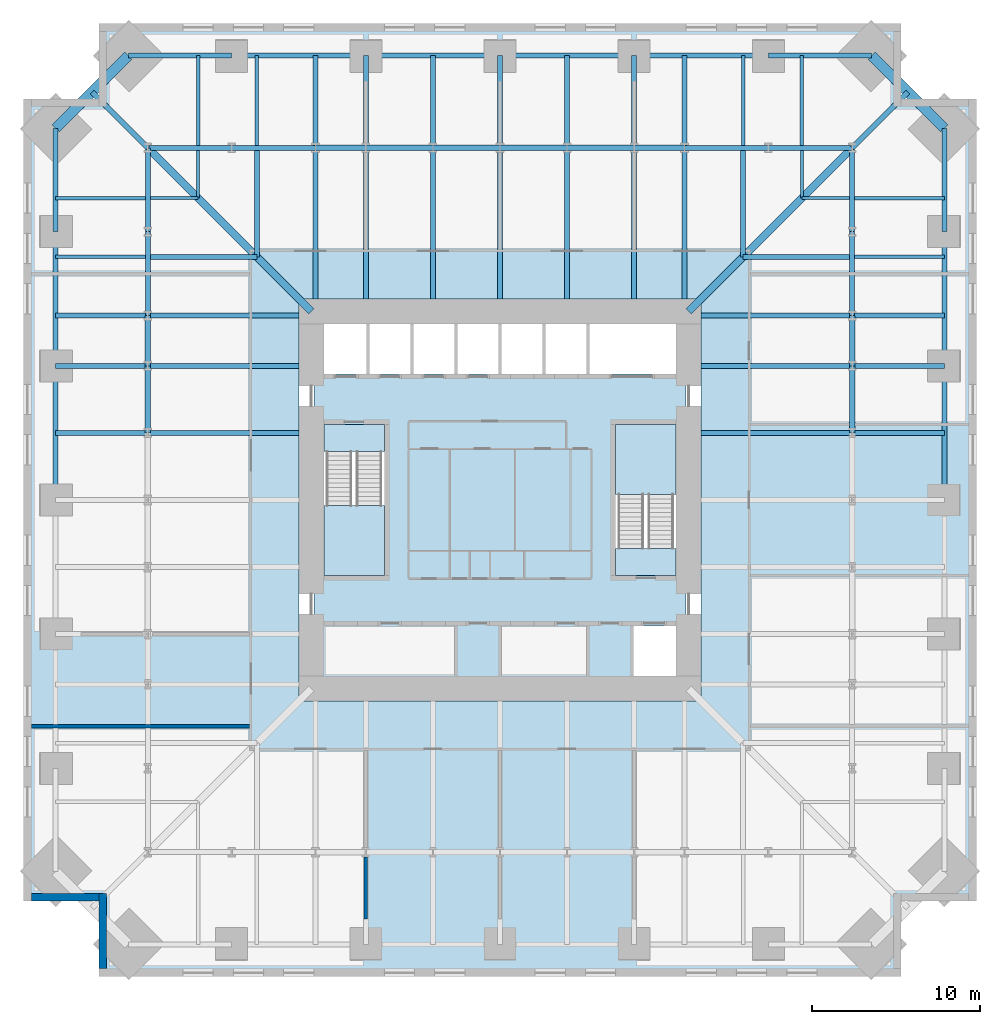
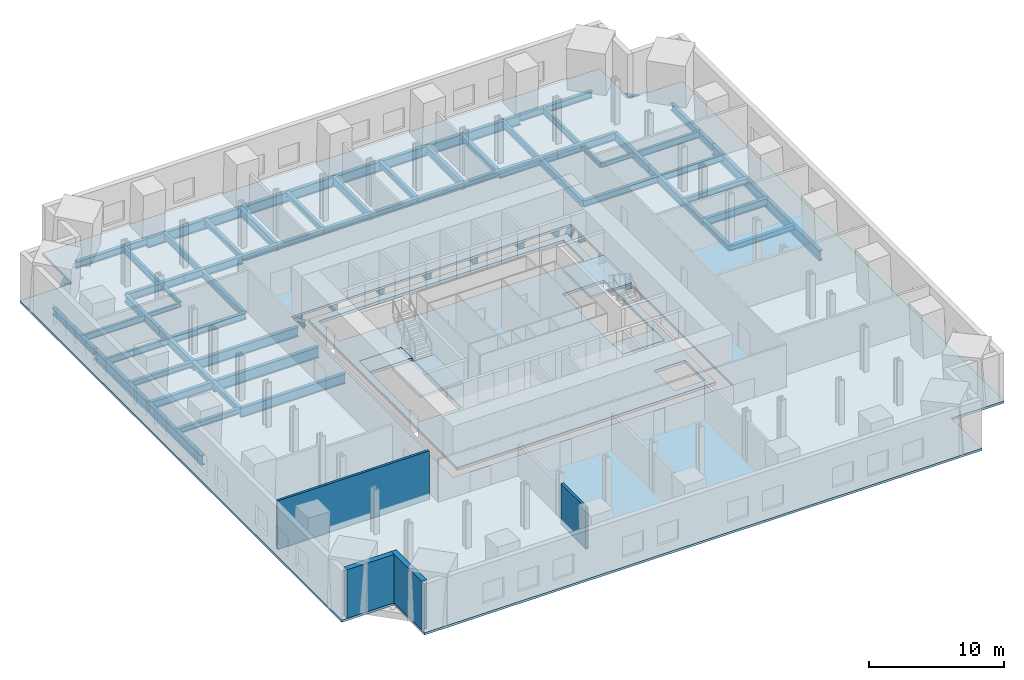
# One storey, part 2 of 8: 78 beams, 6 slabs, 4 walls, 2 elements without a shape of their own.
"""IFC4 building model written with IfcOpenShell, lengths in metres."""

from ifc_helpers import new_model, si_unit, direction, frame, frame_2d, origin, origin_2d, place, context, subcontext, project, spatial, polyline, rectangle, hollow_rectangle, i_section, outline, extrude, material, layer, layer_set, material_profile, profile_set, type_object, element, aggregate, save


model = new_model("IFC4")

# Units and contexts
model_context = context("Model", 3, precision=1e-05, world=origin(), true_north=direction((0.0, 1.0)))
body_context = subcontext(model_context, "Body", "Model", "MODEL_VIEW")
ifc_project = project(units=[si_unit("LENGTHUNIT", "METRE"), si_unit("AREAUNIT", "SQUARE_METRE"), si_unit("VOLUMEUNIT", "CUBIC_METRE"), si_unit("PLANEANGLEUNIT", "RADIAN"), si_unit("MASSUNIT", "GRAM", prefix="KILO")], contexts=[model_context])

# Site, building, storey
site_placement = place(None, origin())
site = spatial("IfcSite", under=ifc_project, at=site_placement, CompositionType="ELEMENT")
building_placement = place(site_placement, origin())
building = spatial("IfcBuilding", under=site, at=building_placement, Name="Peilmerk Tower", CompositionType="ELEMENT")
storey_placement = place(building_placement, frame((0.0, 0.0, 109.0)))
storey = spatial("IfcBuildingStorey", under=building, at=storey_placement, Name="L21", CompositionType="ELEMENT", Elevation=109.0)

# Beams
ifc_material_1 = material(Name="Steel S355", Category="steel")
ifc_material_profile_1 = material_profile(ifc_material_1, i_section(OverallWidth=0.219970703125, OverallDepth=0.60009765625, WebThickness=0.011962890625, FlangeThickness=0.01904296875, at=origin_2d()), Name="IPE 600")
ifc_profile_set_1 = profile_set([ifc_material_profile_1], Name="Steel S355")
beam_type_1 = type_object("IfcBeamType", Name="B10 IPE 600 floor beam", PredefinedType="BEAM", material=ifc_profile_set_1)
for number, where, z_axis, x_axis, name in (
    (1, (14.5, 21.152099609375, -0.5), (0.0, 1.0, 0.0), (-1.0, 0.0, 0.0), "Floor beam L21"),
    (2, (21.152099609375, 14.5, -0.5), (1.0, 0.0, 0.0), (0.0, 1.0, 0.0), "Floor beam L21"),
    (3, (18.0, 21.152099609375, -0.5), (0.0, 1.0, 0.0), (-1.0, 0.0, 0.0), "Floor beam L21"),
    (4, (21.152099609375, 18.0, -0.5), (1.0, 0.0, 0.0), (0.0, 1.0, 0.0), "Floor beam L21"),
    (5, (-14.5, 21.152099609375, -0.5), (0.0, 1.0, 0.0), (-1.0, 0.0, 0.0), "Floor beam L21"),
    (6, (-21.152099609375, 14.5, -0.5), (-1.0, 0.0, 0.0), (0.0, -1.0, 0.0), "Floor beam L21"),
    (7, (-18.0, 21.152099609375, -0.5), (0.0, 1.0, 0.0), (-1.0, 0.0, 0.0), "Floor beam L21"),
    (8, (-21.152099609375, 18.0, -0.5), (-1.0, 0.0, 0.0), (0.0, -1.0, 0.0), "Floor beam L21"),
):
    element("IfcBeam", number, at=place(storey_placement, frame(where, z_axis=z_axis, x_axis=x_axis)), inside=storey, type_object=beam_type_1, Name=name, PredefinedType="BEAM", context=body_context, shape_type="SweptSolid", body=[
        extrude(i_section(OverallWidth=0.219970703125, OverallDepth=0.60009765625, WebThickness=0.011962890625, FlangeThickness=0.01904296875, at=origin_2d()), origin(), (0.0, 0.0, 1.0), 5.349609375),
    ])
ifc_material_profile_2 = material_profile(ifc_material_1, i_section(OverallWidth=0.300048828125, OverallDepth=0.68994140625, WebThickness=0.014404296875, FlangeThickness=0.027099609375, at=origin_2d()), Name="HEA 700")
ifc_profile_set_2 = profile_set([ifc_material_profile_2], Name="Steel S355")
beam_type_2 = type_object("IfcBeamType", Name="B16 HEA 700 floor beam", PredefinedType="BEAM", material=ifc_profile_set_2)
for number, where, z_axis, x_axis, name in (
    (9, (8.0, 21.0, -0.544921875), (0.0, 1.0, 0.0), (-1.0, 0.0, 0.0), "Floor girder L21"),
    (10, (0.0, 21.0, -0.544921875), (0.0, 1.0, 0.0), (-1.0, 0.0, 0.0), "Floor girder L21"),
    (11, (-8.0, 21.0, -0.544921875), (0.0, 1.0, 0.0), (-1.0, 0.0, 0.0), "Floor girder L21"),
    (12, (21.0, 8.0, -0.544921875), (1.0, 0.0, 0.0), (0.0, 1.0, 0.0), "Floor girder L21"),
    (13, (-21.0, 8.0, -0.544921875), (-1.0, 0.0, 0.0), (0.0, -1.0, 0.0), "Floor girder L21"),
):
    element("IfcBeam", number, at=place(storey_placement, frame(where, z_axis=z_axis, x_axis=x_axis)), inside=storey, type_object=beam_type_2, Name=name, PredefinedType="BEAM", context=body_context, shape_type="SweptSolid", body=[
        extrude(i_section(OverallWidth=0.300048828125, OverallDepth=0.68994140625, WebThickness=0.014404296875, FlangeThickness=0.027099609375, at=origin_2d()), origin(), (0.0, 0.0, 1.0), 5.501708984375),
    ])
for number, where, z_axis, x_axis, name in (
    (14, (21.0, 21.0, -0.544921875), (0.707106781187, 0.707106781187, 0.0), (-0.707106781187, 0.707106781187, 0.0), "Corner girder L21"),
    (15, (-21.0, 21.0, -0.544921875), (-0.707106781187, 0.707106781187, 0.0), (-0.707106781187, -0.707106781187, 0.0), "Corner girder L21"),
):
    element("IfcBeam", number, at=place(storey_placement, frame(where, z_axis=z_axis, x_axis=x_axis)), inside=storey, type_object=beam_type_2, Name=name, PredefinedType="BEAM", context=body_context, shape_type="SweptSolid", body=[
        extrude(i_section(OverallWidth=0.300048828125, OverallDepth=0.68994140625, WebThickness=0.014404296875, FlangeThickness=0.027099609375, at=origin_2d()), origin(), (0.0, 0.0, 1.0), 4.70458984375),
    ])
ifc_material_profile_3 = material_profile(ifc_material_1, i_section(OverallWidth=0.303955078125, OverallDepth=0.716064453125, WebThickness=0.02099609375, FlangeThickness=0.0400390625, at=origin_2d()), Name="HEM 700")
ifc_profile_set_3 = profile_set([ifc_material_profile_3], Name="Steel S355")
beam_type_3 = type_object("IfcBeamType", Name="B19 HEM 700 ring girder", PredefinedType="BEAM", material=ifc_profile_set_3)
for number, where, z_axis, x_axis, name in (
    (16, (21.0, 21.0, -0.55810546875), (-1.0, 0.0, 0.0), (0.0, -1.0, 0.0), "Ring girder L21"),
    (17, (16.0, 21.0, -0.55810546875), (-1.0, 0.0, 0.0), (0.0, -1.0, 0.0), "Ring girder L21"),
    (18, (-11.0, 21.0, -0.55810546875), (-1.0, 0.0, 0.0), (0.0, -1.0, 0.0), "Ring girder L21"),
    (19, (-16.0, 21.0, -0.55810546875), (-1.0, 0.0, 0.0), (0.0, -1.0, 0.0), "Ring girder L21"),
    (20, (21.0, 11.0, -0.55810546875), (0.0, 1.0, 0.0), (-1.0, 0.0, 0.0), "Ring girder L21"),
    (21, (21.0, 16.0, -0.55810546875), (0.0, 1.0, 0.0), (-1.0, 0.0, 0.0), "Ring girder L21"),
    (22, (-21.0, 21.0, -0.55810546875), (0.0, -1.0, 0.0), (1.0, 0.0, 0.0), "Ring girder L21"),
    (23, (-21.0, 16.0, -0.55810546875), (0.0, -1.0, 0.0), (1.0, 0.0, 0.0), "Ring girder L21"),
):
    element("IfcBeam", number, at=place(storey_placement, frame(where, z_axis=z_axis, x_axis=x_axis)), inside=storey, type_object=beam_type_3, Name=name, PredefinedType="BEAM", context=body_context, shape_type="SweptSolid", body=[
        extrude(i_section(OverallWidth=0.303955078125, OverallDepth=0.716064453125, WebThickness=0.02099609375, FlangeThickness=0.0400390625, at=origin_2d()), origin(), (0.0, 0.0, 1.0), 5.0),
    ])
ifc_material_profile_4 = material_profile(ifc_material_1, i_section(OverallWidth=0.302001953125, OverallDepth=0.909912109375, WebThickness=0.02099609375, FlangeThickness=0.0400390625, at=origin_2d()), Name="HEM 900")
ifc_profile_set_4 = profile_set([ifc_material_profile_4], Name="Steel S355")
beam_type_4 = type_object("IfcBeamType", Name="B2 HEM 900 edge beam", PredefinedType="SPANDREL", material=ifc_profile_set_4)
for number, where, z_axis, x_axis, name in (
    (24, (16.0, 26.501708984375, -0.655029296875), (-1.0, 0.0, 0.0), (0.0, -1.0, 0.0), "Edge beam L21"),
    (25, (8.0, 26.501708984375, -0.655029296875), (-1.0, 0.0, 0.0), (0.0, -1.0, 0.0), "Edge beam L21"),
    (26, (0.0, 26.501708984375, -0.655029296875), (-1.0, 0.0, 0.0), (0.0, -1.0, 0.0), "Edge beam L21"),
    (27, (-8.0, 26.501708984375, -0.655029296875), (-1.0, 0.0, 0.0), (0.0, -1.0, 0.0), "Edge beam L21"),
    (28, (26.501708984375, 0.0, -0.655029296875), (0.0, 1.0, 0.0), (-1.0, 0.0, 0.0), "Edge beam L21"),
    (29, (26.501708984375, 8.0, -0.655029296875), (0.0, 1.0, 0.0), (-1.0, 0.0, 0.0), "Edge beam L21"),
    (30, (-26.501708984375, 16.0, -0.655029296875), (0.0, -1.0, 0.0), (1.0, 0.0, 0.0), "Edge beam L21"),
    (31, (-26.501708984375, 8.0, -0.655029296875), (0.0, -1.0, 0.0), (1.0, 0.0, 0.0), "Edge beam L21"),
):
    element("IfcBeam", number, at=place(storey_placement, frame(where, z_axis=z_axis, x_axis=x_axis)), inside=storey, type_object=beam_type_4, Name=name, PredefinedType="SPANDREL", context=body_context, shape_type="SweptSolid", body=[
        extrude(i_section(OverallWidth=0.302001953125, OverallDepth=0.909912109375, WebThickness=0.02099609375, FlangeThickness=0.0400390625, at=origin_2d()), origin(), (0.0, 0.0, 1.0), 8.0),
    ])
ifc_material_2 = material(Name="Steel S460", Category="steel")
ifc_material_profile_5 = material_profile(ifc_material_2, hollow_rectangle(XDim=0.60009765625, YDim=0.60009765625, WallThickness=0.06005859375, at=origin_2d()), Name="BOX 600x600x60")
ifc_profile_set_5 = profile_set([ifc_material_profile_5], Name="Steel S460")
beam_type_5 = type_object("IfcBeamType", Name="B20 BOX 600x600x60 notch beam", PredefinedType="SPANDREL", material=ifc_profile_set_5)
for number, where, z_axis, x_axis, name in (
    (32, (22.151611328125, 26.501708984375, -0.5), (0.707106781187, -0.707106781187, 0.0), (0.707106781187, 0.707106781187, 0.0), "Notch beam L21"),
    (33, (-26.501708984375, 22.151611328125, -0.5), (0.707106781187, 0.707106781187, 0.0), (-0.707106781187, 0.707106781187, 0.0), "Notch beam L21"),
):
    element("IfcBeam", number, at=place(storey_placement, frame(where, z_axis=z_axis, x_axis=x_axis)), inside=storey, type_object=beam_type_5, Name=name, PredefinedType="SPANDREL", context=body_context, shape_type="SweptSolid", body=[
        extrude(hollow_rectangle(XDim=0.60009765625, YDim=0.60009765625, WallThickness=0.06005859375, at=origin_2d()), origin(), (0.0, 0.0, 1.0), 6.15185546875),
    ])
ifc_material_profile_6 = material_profile(ifc_material_1, i_section(OverallWidth=0.302001953125, OverallDepth=1.008056640625, WebThickness=0.02099609375, FlangeThickness=0.0400390625, at=origin_2d()), Name="HEM 1000")
ifc_profile_set_6 = profile_set([ifc_material_profile_6], Name="Steel S355")
beam_type_6 = type_object("IfcBeamType", Name="B24 HEM 1000 floor girder", PredefinedType="BEAM", material=ifc_profile_set_6)
for number, where, z_axis, x_axis, name in (
    (34, (8.0, 12.0, -0.7041015625), (0.0, 1.0, 0.0), (-1.0, 0.0, 0.0), "Floor girder L21"),
    (35, (0.0, 12.0, -0.7041015625), (0.0, 1.0, 0.0), (-1.0, 0.0, 0.0), "Floor girder L21"),
    (36, (-8.0, 12.0, -0.7041015625), (0.0, 1.0, 0.0), (-1.0, 0.0, 0.0), "Floor girder L21"),
    (37, (12.0, 8.0, -0.7041015625), (1.0, 0.0, 0.0), (0.0, 1.0, 0.0), "Floor girder L21"),
    (38, (-12.0, 8.0, -0.7041015625), (-1.0, 0.0, 0.0), (0.0, -1.0, 0.0), "Floor girder L21"),
):
    element("IfcBeam", number, at=place(storey_placement, frame(where, z_axis=z_axis, x_axis=x_axis)), inside=storey, type_object=beam_type_6, Name=name, PredefinedType="BEAM", context=body_context, shape_type="SweptSolid", body=[
        extrude(i_section(OverallWidth=0.302001953125, OverallDepth=1.008056640625, WebThickness=0.02099609375, FlangeThickness=0.0400390625, at=origin_2d()), origin(), (0.0, 0.0, 1.0), 9.0),
    ])
ifc_material_profile_7 = material_profile(ifc_material_1, i_section(OverallWidth=0.300048828125, OverallDepth=0.590087890625, WebThickness=0.012939453125, FlangeThickness=0.02490234375, at=origin_2d()), Name="HEA 600")
ifc_profile_set_7 = profile_set([ifc_material_profile_7], Name="Steel S355")
beam_type_7 = type_object("IfcBeamType", Name="B27 HEA 600 floor beam", PredefinedType="BEAM", material=ifc_profile_set_7)
for number, where, z_axis, x_axis, name in (
    (39, (14.5, 14.5, -0.4951171875), (0.0, 1.0, 0.0), (-1.0, 0.0, 0.0), "Floor beam L21"),
    (40, (14.5, 14.5, -0.4951171875), (1.0, 0.0, 0.0), (0.0, 1.0, 0.0), "Floor beam L21"),
    (41, (-14.5, 14.5, -0.4951171875), (0.0, 1.0, 0.0), (-1.0, 0.0, 0.0), "Floor beam L21"),
    (42, (-14.5, 14.5, -0.4951171875), (-1.0, 0.0, 0.0), (0.0, -1.0, 0.0), "Floor beam L21"),
):
    element("IfcBeam", number, at=place(storey_placement, frame(where, z_axis=z_axis, x_axis=x_axis)), inside=storey, type_object=beam_type_7, Name=name, PredefinedType="BEAM", context=body_context, shape_type="SweptSolid", body=[
        extrude(i_section(OverallWidth=0.300048828125, OverallDepth=0.590087890625, WebThickness=0.012939453125, FlangeThickness=0.02490234375, at=origin_2d()), origin(), (0.0, 0.0, 1.0), 6.347900390625),
    ])
ifc_material_profile_8 = material_profile(ifc_material_1, i_section(OverallWidth=0.179931640625, OverallDepth=0.39990234375, WebThickness=0.008544921875, FlangeThickness=0.013427734375, at=origin_2d()), Name="IPE 400")
ifc_profile_set_8 = profile_set([ifc_material_profile_8], Name="Steel S355")
beam_type_8 = type_object("IfcBeamType", Name="B28 IPE 400 floor beam", PredefinedType="BEAM", material=ifc_profile_set_8)
for number, where, z_axis, x_axis, name in (
    (43, (18.0, 18.0, -0.39990234375), (0.0, 1.0, 0.0), (-1.0, 0.0, 0.0), "Floor beam L21"),
    (44, (18.0, 18.0, -0.39990234375), (1.0, 0.0, 0.0), (0.0, 1.0, 0.0), "Floor beam L21"),
    (45, (-18.0, 18.0, -0.39990234375), (0.0, 1.0, 0.0), (-1.0, 0.0, 0.0), "Floor beam L21"),
    (46, (-18.0, 18.0, -0.39990234375), (-1.0, 0.0, 0.0), (0.0, -1.0, 0.0), "Floor beam L21"),
):
    element("IfcBeam", number, at=place(storey_placement, frame(where, z_axis=z_axis, x_axis=x_axis)), inside=storey, type_object=beam_type_8, Name=name, PredefinedType="BEAM", context=body_context, shape_type="SweptSolid", body=[
        extrude(i_section(OverallWidth=0.179931640625, OverallDepth=0.39990234375, WebThickness=0.008544921875, FlangeThickness=0.013427734375, at=origin_2d()), origin(), (0.0, 0.0, 1.0), 2.847900390625),
    ])
ifc_material_profile_9 = material_profile(ifc_material_1, i_section(OverallWidth=0.300048828125, OverallDepth=0.489990234375, WebThickness=0.011962890625, FlangeThickness=0.02294921875, at=origin_2d()), Name="HEA 500")
ifc_profile_set_9 = profile_set([ifc_material_profile_9], Name="Steel S355")
beam_type_9 = type_object("IfcBeamType", Name="B29 HEA 500 floor beam", PredefinedType="BEAM", material=ifc_profile_set_9)
for number, where, z_axis, x_axis, name in (
    (47, (11.0, 21.0, -0.445068359375), (0.0, 1.0, 0.0), (-1.0, 0.0, 0.0), "Floor beam L21"),
    (48, (4.0, 21.0, -0.445068359375), (0.0, 1.0, 0.0), (-1.0, 0.0, 0.0), "Floor beam L21"),
    (49, (-4.0, 21.0, -0.445068359375), (0.0, 1.0, 0.0), (-1.0, 0.0, 0.0), "Floor beam L21"),
    (50, (-11.0, 21.0, -0.445068359375), (0.0, 1.0, 0.0), (-1.0, 0.0, 0.0), "Floor beam L21"),
    (51, (21.0, 4.0, -0.445068359375), (1.0, 0.0, 0.0), (0.0, 1.0, 0.0), "Floor beam L21"),
    (52, (21.0, 11.0, -0.445068359375), (1.0, 0.0, 0.0), (0.0, 1.0, 0.0), "Floor beam L21"),
    (53, (-21.0, 11.0, -0.445068359375), (-1.0, 0.0, 0.0), (0.0, -1.0, 0.0), "Floor beam L21"),
    (54, (-21.0, 4.0, -0.445068359375), (-1.0, 0.0, 0.0), (0.0, -1.0, 0.0), "Floor beam L21"),
):
    element("IfcBeam", number, at=place(storey_placement, frame(where, z_axis=z_axis, x_axis=x_axis)), inside=storey, type_object=beam_type_9, Name=name, PredefinedType="BEAM", context=body_context, shape_type="SweptSolid", body=[
        extrude(i_section(OverallWidth=0.300048828125, OverallDepth=0.489990234375, WebThickness=0.011962890625, FlangeThickness=0.02294921875, at=origin_2d()), origin(), (0.0, 0.0, 1.0), 5.501708984375),
    ])
ifc_material_profile_10 = material_profile(ifc_material_1, i_section(OverallWidth=0.304931640625, OverallDepth=0.6201171875, WebThickness=0.02099609375, FlangeThickness=0.0400390625, at=origin_2d()), Name="HEM 600")
ifc_profile_set_10 = profile_set([ifc_material_profile_10], Name="Steel S355")
beam_type_10 = type_object("IfcBeamType", Name="B31 HEM 600 edge beam", PredefinedType="SPANDREL", material=ifc_profile_set_10)
for number, where, z_axis, x_axis, name in (
    (55, (22.151611328125, 26.501708984375, -0.510009765625), (-1.0, 0.0, 0.0), (0.0, -1.0, 0.0), "Edge beam L21"),
    (56, (-16.0, 26.501708984375, -0.510009765625), (-1.0, 0.0, 0.0), (0.0, -1.0, 0.0), "Edge beam L21"),
    (57, (26.501708984375, 16.0, -0.510009765625), (0.0, 1.0, 0.0), (-1.0, 0.0, 0.0), "Edge beam L21"),
    (58, (-26.501708984375, 22.151611328125, -0.510009765625), (0.0, -1.0, 0.0), (1.0, 0.0, 0.0), "Edge beam L21"),
):
    element("IfcBeam", number, at=place(storey_placement, frame(where, z_axis=z_axis, x_axis=x_axis)), inside=storey, type_object=beam_type_10, Name=name, PredefinedType="SPANDREL", context=body_context, shape_type="SweptSolid", body=[
        extrude(i_section(OverallWidth=0.304931640625, OverallDepth=0.6201171875, WebThickness=0.02099609375, FlangeThickness=0.0400390625, at=origin_2d()), origin(), (0.0, 0.0, 1.0), 6.151611328125),
    ])
ifc_material_profile_11 = material_profile(ifc_material_1, i_section(OverallWidth=0.300048828125, OverallDepth=0.889892578125, WebThickness=0.01611328125, FlangeThickness=0.030029296875, at=origin_2d()), Name="HEA 900")
ifc_profile_set_11 = profile_set([ifc_material_profile_11], Name="Steel S355")
beam_type_11 = type_object("IfcBeamType", Name="B4 HEA 900 floor beam", PredefinedType="BEAM", material=ifc_profile_set_11)
for number, where, z_axis, x_axis, name in (
    (59, (11.0, 12.0, -0.64501953125), (0.0, 1.0, 0.0), (-1.0, 0.0, 0.0), "Floor beam L21"),
    (60, (4.0, 12.0, -0.64501953125), (0.0, 1.0, 0.0), (-1.0, 0.0, 0.0), "Floor beam L21"),
    (61, (-4.0, 12.0, -0.64501953125), (0.0, 1.0, 0.0), (-1.0, 0.0, 0.0), "Floor beam L21"),
    (62, (-11.0, 12.0, -0.64501953125), (0.0, 1.0, 0.0), (-1.0, 0.0, 0.0), "Floor beam L21"),
    (63, (12.0, 4.0, -0.64501953125), (1.0, 0.0, 0.0), (0.0, 1.0, 0.0), "Floor beam L21"),
    (64, (12.0, 11.0, -0.64501953125), (1.0, 0.0, 0.0), (0.0, 1.0, 0.0), "Floor beam L21"),
    (65, (-12.0, 11.0, -0.64501953125), (-1.0, 0.0, 0.0), (0.0, -1.0, 0.0), "Floor beam L21"),
    (66, (-12.0, 4.0, -0.64501953125), (-1.0, 0.0, 0.0), (0.0, -1.0, 0.0), "Floor beam L21"),
):
    element("IfcBeam", number, at=place(storey_placement, frame(where, z_axis=z_axis, x_axis=x_axis)), inside=storey, type_object=beam_type_11, Name=name, PredefinedType="BEAM", context=body_context, shape_type="SweptSolid", body=[
        extrude(i_section(OverallWidth=0.300048828125, OverallDepth=0.889892578125, WebThickness=0.01611328125, FlangeThickness=0.030029296875, at=origin_2d()), origin(), (0.0, 0.0, 1.0), 9.0),
    ])
ifc_material_profile_12 = material_profile(ifc_material_1, i_section(OverallWidth=0.305908203125, OverallDepth=0.52392578125, WebThickness=0.02099609375, FlangeThickness=0.0400390625, at=origin_2d()), Name="HEM 500")
ifc_profile_set_12 = profile_set([ifc_material_profile_12], Name="Steel S355")
beam_type_12 = type_object("IfcBeamType", Name="B7 HEM 500 ring girder", PredefinedType="BEAM", material=ifc_profile_set_12)
beam_1_placement = place(storey_placement, frame((11.0, 21.0, -0.4619140625), z_axis=(-1.0, 0.0, 0.0), x_axis=(0.0, -1.0, 0.0)))
element("IfcBeam", 67, at=beam_1_placement, inside=storey, type_object=beam_type_12, Name="Ring girder L21", PredefinedType="BEAM", context=body_context, shape_type="SweptSolid", body=[
    extrude(i_section(OverallWidth=0.305908203125, OverallDepth=0.52392578125, WebThickness=0.02099609375, FlangeThickness=0.0400390625, at=origin_2d()), origin(), (0.0, 0.0, 1.0), 3.0),
])
for number, where, z_axis, x_axis, name in (
    (68, (8.0, 21.0, -0.4619140625), (-1.0, 0.0, 0.0), (0.0, -1.0, 0.0), "Ring girder L21"),
    (69, (4.0, 21.0, -0.4619140625), (-1.0, 0.0, 0.0), (0.0, -1.0, 0.0), "Ring girder L21"),
    (70, (0.0, 21.0, -0.4619140625), (-1.0, 0.0, 0.0), (0.0, -1.0, 0.0), "Ring girder L21"),
    (71, (-4.0, 21.0, -0.4619140625), (-1.0, 0.0, 0.0), (0.0, -1.0, 0.0), "Ring girder L21"),
):
    element("IfcBeam", number, at=place(storey_placement, frame(where, z_axis=z_axis, x_axis=x_axis)), inside=storey, type_object=beam_type_12, Name=name, PredefinedType="BEAM", context=body_context, shape_type="SweptSolid", body=[
        extrude(i_section(OverallWidth=0.305908203125, OverallDepth=0.52392578125, WebThickness=0.02099609375, FlangeThickness=0.0400390625, at=origin_2d()), origin(), (0.0, 0.0, 1.0), 4.0),
    ])
beam_2_placement = place(storey_placement, frame((-8.0, 21.0, -0.4619140625), z_axis=(-1.0, 0.0, 0.0), x_axis=(0.0, -1.0, 0.0)))
element("IfcBeam", 72, at=beam_2_placement, inside=storey, type_object=beam_type_12, Name="Ring girder L21", PredefinedType="BEAM", context=body_context, shape_type="SweptSolid", body=[
    extrude(i_section(OverallWidth=0.305908203125, OverallDepth=0.52392578125, WebThickness=0.02099609375, FlangeThickness=0.0400390625, at=origin_2d()), origin(), (0.0, 0.0, 1.0), 3.0),
])
beam_3_placement = place(storey_placement, frame((21.0, 4.0, -0.4619140625), z_axis=(0.0, 1.0, 0.0), x_axis=(-1.0, 0.0, 0.0)))
element("IfcBeam", 73, at=beam_3_placement, inside=storey, type_object=beam_type_12, Name="Ring girder L21", PredefinedType="BEAM", context=body_context, shape_type="SweptSolid", body=[
    extrude(i_section(OverallWidth=0.305908203125, OverallDepth=0.52392578125, WebThickness=0.02099609375, FlangeThickness=0.0400390625, at=origin_2d()), origin(), (0.0, 0.0, 1.0), 4.0),
])
for number, where, z_axis, x_axis, name in (
    (74, (21.0, 8.0, -0.4619140625), (0.0, 1.0, 0.0), (-1.0, 0.0, 0.0), "Ring girder L21"),
    (75, (-21.0, 11.0, -0.4619140625), (0.0, -1.0, 0.0), (1.0, 0.0, 0.0), "Ring girder L21"),
):
    element("IfcBeam", number, at=place(storey_placement, frame(where, z_axis=z_axis, x_axis=x_axis)), inside=storey, type_object=beam_type_12, Name=name, PredefinedType="BEAM", context=body_context, shape_type="SweptSolid", body=[
        extrude(i_section(OverallWidth=0.305908203125, OverallDepth=0.52392578125, WebThickness=0.02099609375, FlangeThickness=0.0400390625, at=origin_2d()), origin(), (0.0, 0.0, 1.0), 3.0),
    ])
beam_4_placement = place(storey_placement, frame((-21.0, 8.0, -0.4619140625), z_axis=(0.0, -1.0, 0.0), x_axis=(1.0, 0.0, 0.0)))
element("IfcBeam", 76, at=beam_4_placement, inside=storey, type_object=beam_type_12, Name="Ring girder L21", PredefinedType="BEAM", context=body_context, shape_type="SweptSolid", body=[
    extrude(i_section(OverallWidth=0.305908203125, OverallDepth=0.52392578125, WebThickness=0.02099609375, FlangeThickness=0.0400390625, at=origin_2d()), origin(), (0.0, 0.0, 1.0), 4.0),
])
ifc_material_profile_13 = material_profile(ifc_material_2, i_section(OverallWidth=0.4541015625, OverallDepth=0.569091796875, WebThickness=0.077880859375, FlangeThickness=0.125, at=origin_2d()), Name="HD 400x1086")
ifc_profile_set_13 = profile_set([ifc_material_profile_13], Name="Steel S460")
beam_type_13 = type_object("IfcBeamType", Name="B9 HD 400x1086 corner girder", PredefinedType="BEAM", material=ifc_profile_set_13)
for number, where, z_axis, x_axis, name in (
    (77, (11.25, 11.25, -0.484619140625), (0.707106781187, 0.707106781187, 0.0), (-0.707106781187, 0.707106781187, 0.0), "Corner girder L21"),
    (78, (-11.25, 11.25, -0.484619140625), (-0.707106781187, 0.707106781187, 0.0), (-0.707106781187, -0.707106781187, 0.0), "Corner girder L21"),
):
    element("IfcBeam", number, at=place(storey_placement, frame(where, z_axis=z_axis, x_axis=x_axis)), inside=storey, type_object=beam_type_13, Name=name, PredefinedType="BEAM", context=body_context, shape_type="SweptSolid", body=[
        extrude(i_section(OverallWidth=0.4541015625, OverallDepth=0.569091796875, WebThickness=0.077880859375, FlangeThickness=0.125, at=origin_2d()), origin(), (0.0, 0.0, 1.0), 13.78857421875),
    ])

# Slabs
ifc_material_3 = material(Name="Concrete C55/67", Category="concrete")
ifc_layer_1 = layer(ifc_material_3, 0.25)
ifc_layer_set_1 = layer_set([ifc_layer_1], Name="Concrete C55/67")
slab_type_1 = type_object("IfcSlabType", Name="CS250 250 core floor slab", PredefinedType="FLOOR", material=ifc_layer_set_1)
slab_1_placement = place(storey_placement, frame((0.0, 0.0, -0.25)))
element("IfcSlab", 79, at=slab_1_placement, inside=storey, type_object=slab_type_1, Name="Core slab L21", PredefinedType="FLOOR", context=body_context, shape_type="SweptSolid", body=[
    extrude(outline(polyline([(-11.10009765625, 11.10009765625), (-11.10009765625, -11.10009765625), (11.10009765625, -11.10009765625), (11.10009765625, 11.10009765625), (-11.10009765625, 11.10009765625)]), holes=[polyline([(10.5, 7.5), (-10.5, 7.5), (-10.5, 10.5), (10.5, 10.5), (10.5, 7.5)]), polyline([(7.875, -10.5), (7.875, -7.5), (10.5, -7.5), (10.5, -10.5), (7.875, -10.5)]), polyline([(-10.5, 4.5), (-6.89990234375, 4.5), (-6.89990234375, -4.5), (-10.5, -4.5), (-10.5, 4.5)]), polyline([(10.5, 4.5), (10.5, -4.5), (6.89990234375, -4.5), (6.89990234375, 4.5), (10.5, 4.5)])]), origin(), (0.0, 0.0, 1.0), 0.25),
])
ifc_material_4 = material(Name="Concrete C35/45", Category="concrete")
ifc_layer_2 = layer(ifc_material_4, 0.199951171875)
ifc_layer_set_2 = layer_set([ifc_layer_2], Name="Concrete C35/45")
slab_type_2 = type_object("IfcSlabType", Name="FS200 200 composite floor slab", PredefinedType="FLOOR", material=ifc_layer_set_2)
slab_2_placement = place(storey_placement, frame((0.0, 0.0, -0.199951171875)))
element("IfcSlab", 80, at=slab_2_placement, inside=storey, type_object=slab_type_2, Name="Floor slab L21", PredefinedType="FLOOR", context=body_context, shape_type="SweptSolid", body=[
    extrude(outline(polyline([(-23.89990234375, -28.39990234375), (23.89990234375, -28.39990234375), (23.89990234375, -23.89990234375), (28.39990234375, -23.89990234375), (28.39990234375, 23.89990234375), (23.89990234375, 23.89990234375), (23.89990234375, 28.39990234375), (-23.89990234375, 28.39990234375), (-23.89990234375, 23.89990234375), (-28.39990234375, 23.89990234375), (-28.39990234375, -23.89990234375), (-23.89990234375, -23.89990234375), (-23.89990234375, -28.39990234375)]), holes=[polyline([(12.0, 12.0), (12.0, -12.0), (-12.0, -12.0), (-12.0, 12.0), (12.0, 12.0)])]), origin(), (0.0, 0.0, 1.0), 0.199951171875),
])

# Stair, slab
ifc_material_5 = material(Name="Precast concrete C45/55", Category="concrete")
stair_type_1 = type_object("IfcStairType", Name="ST1 26 risers of 176.9", PredefinedType="HALF_TURN_STAIR", material=ifc_material_5)
stair_1_placement = place(storey_placement, origin())
stair_1 = element("IfcStair", 81, at=stair_1_placement, inside=storey, type_object=stair_type_1, Name="Stair 1 L21 to L22", PredefinedType="HALF_TURN_STAIR")
ifc_layer_3 = layer(ifc_material_4, 0.199951171875)
ifc_layer_set_3 = layer_set([ifc_layer_3], Name="Concrete C35/45")
slab_type_3 = type_object("IfcSlabType", Name="SL1 200 concrete stair landing", PredefinedType="LANDING", material=ifc_layer_set_3)
slab_3_placement = place(storey_placement, frame((0.0, 0.0, 2.10009765625)))
slab_3 = element("IfcSlab", 82, at=slab_3_placement, type_object=slab_type_3, Name="ST1 landing 1", PredefinedType="LANDING", context=body_context, shape_type="SweptSolid", body=[
    extrude(outline(polyline([(-10.5, -4.5), (-6.89990234375, -4.5), (-6.89990234375, -0.340087890625), (-10.5, -0.340087890625), (-10.5, -4.5)])), origin(), (0.0, 0.0, 1.0), 0.199951171875),
])

stair_type_2 = type_object("IfcStairType", Name="ST2 26 risers of 176.9", PredefinedType="HALF_TURN_STAIR", material=ifc_material_5)
stair_2_placement = place(storey_placement, origin())
stair_2 = element("IfcStair", 83, at=stair_2_placement, inside=storey, type_object=stair_type_2, Name="Stair 2 L21 to L22", PredefinedType="HALF_TURN_STAIR")
slab_4_placement = place(storey_placement, frame((0.0, 0.0, 2.10009765625)))
slab_4 = element("IfcSlab", 84, at=slab_4_placement, type_object=slab_type_3, Name="ST2 landing 1", PredefinedType="LANDING", context=body_context, shape_type="SweptSolid", body=[
    extrude(outline(polyline([(6.89990234375, 0.340087890625), (10.5, 0.340087890625), (10.5, 4.5), (6.89990234375, 4.5), (6.89990234375, 0.340087890625)])), origin(), (0.0, 0.0, 1.0), 0.199951171875),
])

# Slab
ifc_layer_4 = layer(ifc_material_4, 0.25)
ifc_layer_set_4 = layer_set([ifc_layer_4], Name="Concrete C35/45")
slab_type_4 = type_object("IfcSlabType", Name="SL2 250 concrete floor landing", PredefinedType="LANDING", material=ifc_layer_set_4)
slab_5_placement = place(storey_placement, frame((0.0, 0.0, -0.25)))
slab_5 = element("IfcSlab", 85, at=slab_5_placement, type_object=slab_type_4, Name="ST1 floor landing", PredefinedType="LANDING", context=body_context, shape_type="SweptSolid", body=[
    extrude(outline(polyline([(-10.5, 2.89990234375), (-6.89990234375, 2.89990234375), (-6.89990234375, 4.5), (-10.5, 4.5), (-10.5, 2.89990234375)])), origin(), (0.0, 0.0, 1.0), 0.25),
])

aggregate(stair_1, [slab_3, slab_5])

slab_6_placement = place(storey_placement, frame((0.0, 0.0, -0.25)))
slab_6 = element("IfcSlab", 86, at=slab_6_placement, type_object=slab_type_4, Name="ST2 floor landing", PredefinedType="LANDING", context=body_context, shape_type="SweptSolid", body=[
    extrude(outline(polyline([(6.89990234375, -4.5), (10.5, -4.5), (10.5, -2.89990234375), (6.89990234375, -2.89990234375), (6.89990234375, -4.5)])), origin(), (0.0, 0.0, 1.0), 0.25),
])

aggregate(stair_2, [slab_4, slab_6])

# Walls
ifc_material_6 = material(Name="Precast concrete C45/55, board-marked finish", Category="concrete")
ifc_layer_5 = layer(ifc_material_6, 0.449951171875)
ifc_layer_set_5 = layer_set([ifc_layer_5], Name="Precast concrete C45/55, board-marked finish")
wall_type_1 = type_object("IfcWallType", Name="EW1 450 precast concrete facade wall, board-marked", PredefinedType="SOLIDWALL", material=ifc_layer_set_5)
wall_1_placement = place(storey_placement, frame((-23.675048828125, -23.449951171875, 0.0), z_axis=(0.0, 0.0, 1.0), x_axis=(0.0, -1.0, 0.0)))
element("IfcWall", 87, at=wall_1_placement, inside=storey, type_object=wall_type_1, Name="Facade wall SWA L21", PredefinedType="SOLIDWALL", context=body_context, shape_type="SweptSolid", body=[
    extrude(rectangle(XDim=4.5, YDim=0.449951171875, at=frame_2d((2.25, 0.0))), origin(), (0.0, 0.0, 1.0), 4.39990234375),
])
wall_2_placement = place(storey_placement, frame((-23.89990234375, -23.675048828125, 0.0), z_axis=(0.0, 0.0, 1.0), x_axis=(-1.0, 0.0, 0.0)))
element("IfcWall", 88, at=wall_2_placement, inside=storey, type_object=wall_type_1, Name="Facade wall SWB L21", PredefinedType="SOLIDWALL", context=body_context, shape_type="SweptSolid", body=[
    extrude(rectangle(XDim=4.050048828125, YDim=0.449951171875, at=frame_2d((2.02490234375, 0.0))), origin(), (0.0, 0.0, 1.0), 4.39990234375),
])
ifc_material_7 = material(Name="Calcium silicate block", Category="masonry")
ifc_layer_6 = layer(ifc_material_7, 0.199951171875)
ifc_layer_set_6 = layer_set([ifc_layer_6], Name="Calcium silicate block")
wall_type_2 = type_object("IfcWallType", Name="IW2 200 room separating wall, EI 120", PredefinedType="PARTITIONING", material=ifc_layer_set_6)
wall_3_placement = place(storey_placement, frame((-14.925048828125, -13.5, 0.0), z_axis=(0.0, 0.0, 1.0), x_axis=(-1.0, 0.0, 0.0)))
element("IfcWall", 89, at=wall_3_placement, inside=storey, type_object=wall_type_2, Name="Room separating wall SW L21", PredefinedType="PARTITIONING", context=body_context, shape_type="SweptSolid", body=[
    extrude(rectangle(XDim=13.02490234375, YDim=0.199951171875, at=frame_2d((6.512451171875, 0.0))), origin(), (0.0, 0.0, 1.0), 4.39990234375),
])
wall_4_placement = place(storey_placement, frame((-8.0, -21.284423828125, 0.0), z_axis=(0.0, 0.0, 1.0), x_axis=(0.0, -1.0, 0.0)))
element("IfcWall", 90, at=wall_4_placement, inside=storey, type_object=wall_type_2, Name="Room separating wall S1b L21", PredefinedType="PARTITIONING", context=body_context, shape_type="SweptSolid", body=[
    extrude(rectangle(XDim=3.688232421875, YDim=0.199951171875, at=frame_2d((1.84423828125, 0.0))), origin(), (0.0, 0.0, 1.0), 3.7099609375),
])

save(model, "model.ifc")
